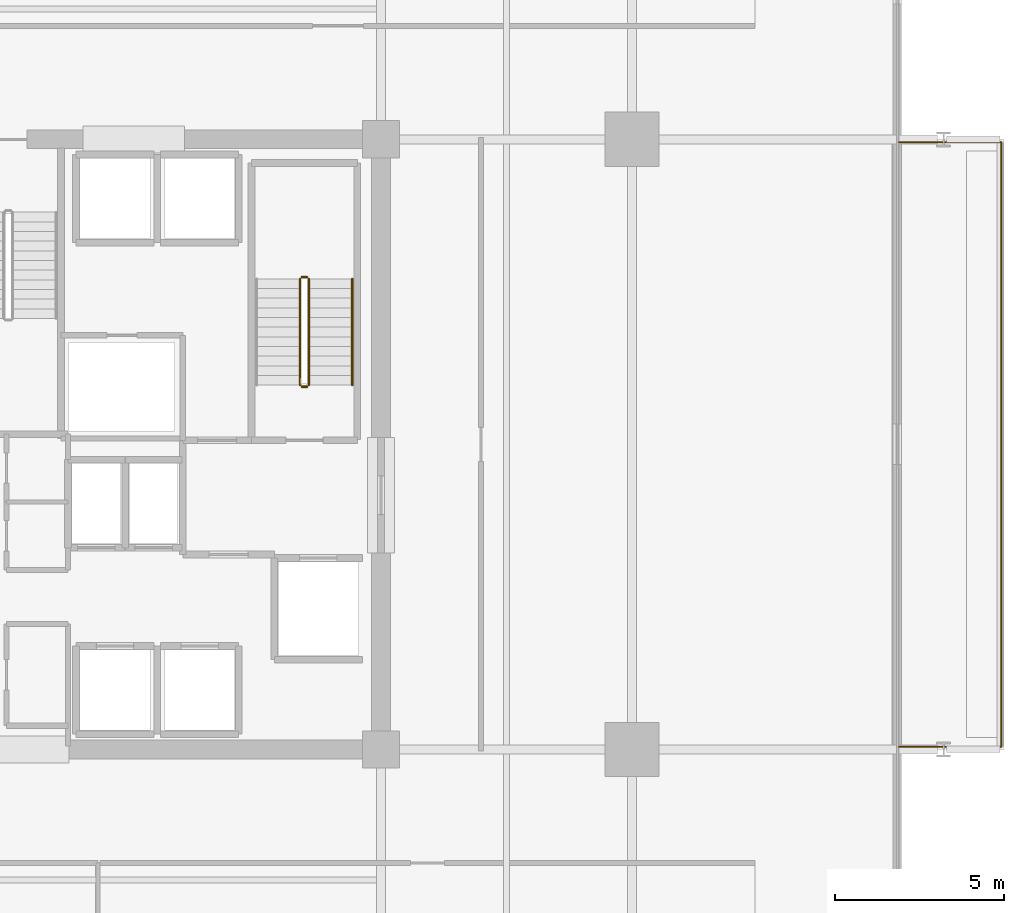
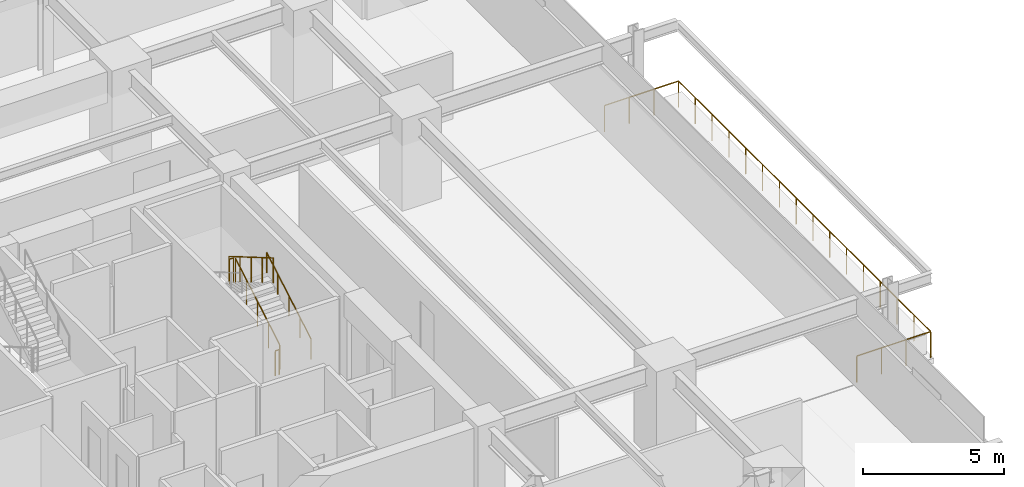
# One storey, part 19 of 20: 6 railings.
"""IFC4 building model written with IfcOpenShell, lengths in metres."""

from ifc_helpers import new_model, si_unit, direction, frame, origin, origin_2d, place, context, subcontext, project, spatial, circle, extrude, material, type_object, element, save


model = new_model("IFC4")

# Units and contexts
model_context = context("Model", 3, precision=1e-05, world=origin(), true_north=direction((0.0, 1.0)))
body_context = subcontext(model_context, "Body", "Model", "MODEL_VIEW")
ifc_project = project(units=[si_unit("LENGTHUNIT", "METRE"), si_unit("AREAUNIT", "SQUARE_METRE"), si_unit("VOLUMEUNIT", "CUBIC_METRE"), si_unit("PLANEANGLEUNIT", "RADIAN"), si_unit("MASSUNIT", "GRAM", prefix="KILO")], contexts=[model_context])

# Site, building, storey
site_placement = place(None, origin())
site = spatial("IfcSite", under=ifc_project, at=site_placement, CompositionType="ELEMENT")
building_placement = place(site_placement, origin())
building = spatial("IfcBuilding", under=site, at=building_placement, Name="Kovane Verandah Tower", CompositionType="ELEMENT")
storey_placement = place(building_placement, frame((0.0, 0.0, 128.39990234375)))
storey = spatial("IfcBuildingStorey", under=building, at=storey_placement, Name="L29", CompositionType="ELEMENT", Elevation=128.39990234375)

# Railings
ifc_material_1 = material(Name="Laminated Glass and Pale-Champagne Stainless Balustrade", Category="glass")
railing_type_1 = type_object("IfcRailingType", Name="RL-BAL-1150", PredefinedType="BALUSTRADE", material=ifc_material_1)
railing_1_placement = place(storey_placement, frame((66.27880859375, 18.580078125, 0.0)))
element("IfcRailing", 1, at=railing_1_placement, inside=storey, type_object=railing_type_1, Name="L29 E Verandah Glass Balustrade", PredefinedType="BALUSTRADE", context=body_context, shape_type="SweptSolid", body=[
    extrude(circle(Radius=0.02392578125, at=origin_2d()), frame((0.0, 0.0, 1.1259765625), z_axis=(1.0, 0.0, 0.0), x_axis=(0.0, 1.0, 0.0)), (0.0, 0.0, 1.0), 3.019775390625),
    extrude(circle(Radius=0.02392578125, at=origin_2d()), frame((3.019775390625, 0.0, 1.1259765625), z_axis=(0.0, 1.0, 0.0), x_axis=(-1.0, 0.0, 0.0)), (0.0, 0.0, 1.0), 17.83984375),
    extrude(circle(Radius=0.02392578125, at=origin_2d()), frame((3.019775390625, 17.83984375, 1.1259765625), z_axis=(-1.0, 0.0, 0.0), x_axis=(0.0, -1.0, 0.0)), (0.0, 0.0, 1.0), 3.019775390625),
    extrude(circle(Radius=0.02099609375, at=origin_2d()), origin(), (0.0, 0.0, 1.0), 1.101806640625),
    extrude(circle(Radius=0.02099609375, at=origin_2d()), frame((1.006591796875, 0.0, 0.0)), (0.0, 0.0, 1.0), 1.101806640625),
    extrude(circle(Radius=0.02099609375, at=origin_2d()), frame((2.01318359375, 0.0, 0.0)), (0.0, 0.0, 1.0), 1.101806640625),
    extrude(circle(Radius=0.02099609375, at=origin_2d()), frame((3.019775390625, 0.0, 0.0)), (0.0, 0.0, 1.0), 1.101806640625),
    extrude(circle(Radius=0.02099609375, at=origin_2d()), frame((3.019775390625, 1.189208984375, 0.0)), (0.0, 0.0, 1.0), 1.101806640625),
    extrude(circle(Radius=0.02099609375, at=origin_2d()), frame((3.019775390625, 2.378662109375, 0.0)), (0.0, 0.0, 1.0), 1.101806640625),
    extrude(circle(Radius=0.02099609375, at=origin_2d()), frame((3.019775390625, 3.56787109375, 0.0)), (0.0, 0.0, 1.0), 1.101806640625),
    extrude(circle(Radius=0.02099609375, at=origin_2d()), frame((3.019775390625, 4.75732421875, 0.0)), (0.0, 0.0, 1.0), 1.101806640625),
    extrude(circle(Radius=0.02099609375, at=origin_2d()), frame((3.019775390625, 5.946533203125, 0.0)), (0.0, 0.0, 1.0), 1.101806640625),
    extrude(circle(Radius=0.02099609375, at=origin_2d()), frame((3.019775390625, 7.135986328125, 0.0)), (0.0, 0.0, 1.0), 1.101806640625),
    extrude(circle(Radius=0.02099609375, at=origin_2d()), frame((3.019775390625, 8.3251953125, 0.0)), (0.0, 0.0, 1.0), 1.101806640625),
    extrude(circle(Radius=0.02099609375, at=origin_2d()), frame((3.019775390625, 9.5146484375, 0.0)), (0.0, 0.0, 1.0), 1.101806640625),
    extrude(circle(Radius=0.02099609375, at=origin_2d()), frame((3.019775390625, 10.703857421875, 0.0)), (0.0, 0.0, 1.0), 1.101806640625),
    extrude(circle(Radius=0.02099609375, at=origin_2d()), frame((3.019775390625, 11.893310546875, 0.0)), (0.0, 0.0, 1.0), 1.101806640625),
    extrude(circle(Radius=0.02099609375, at=origin_2d()), frame((3.019775390625, 13.08251953125, 0.0)), (0.0, 0.0, 1.0), 1.101806640625),
    extrude(circle(Radius=0.02099609375, at=origin_2d()), frame((3.019775390625, 14.27197265625, 0.0)), (0.0, 0.0, 1.0), 1.101806640625),
    extrude(circle(Radius=0.02099609375, at=origin_2d()), frame((3.019775390625, 15.461181640625, 0.0)), (0.0, 0.0, 1.0), 1.101806640625),
    extrude(circle(Radius=0.02099609375, at=origin_2d()), frame((3.019775390625, 16.650634765625, 0.0)), (0.0, 0.0, 1.0), 1.101806640625),
    extrude(circle(Radius=0.02099609375, at=origin_2d()), frame((3.019775390625, 17.83984375, 0.0)), (0.0, 0.0, 1.0), 1.101806640625),
    extrude(circle(Radius=0.02099609375, at=origin_2d()), frame((2.01318359375, 17.83984375, 0.0)), (0.0, 0.0, 1.0), 1.101806640625),
    extrude(circle(Radius=0.02099609375, at=origin_2d()), frame((1.006591796875, 17.83984375, 0.0)), (0.0, 0.0, 1.0), 1.101806640625),
    extrude(circle(Radius=0.02099609375, at=origin_2d()), frame((0.0, 17.83984375, 0.0)), (0.0, 0.0, 1.0), 1.101806640625),
])
ifc_material_2 = material(Name="Brushed Stainless Steel Handrail", Category="steel")
railing_type_2 = type_object("IfcRailingType", Name="RL-HAND-920", PredefinedType="HANDRAIL", material=ifc_material_2)
railing_2_placement = place(storey_placement, frame((50.14990234375, 29.25, 0.166748046875)))
element("IfcRailing", 2, at=railing_2_placement, inside=storey, type_object=railing_type_2, Name="L29 ST-02 stair handrail 1", PredefinedType="HANDRAIL", context=body_context, shape_type="SweptSolid", body=[
    extrude(circle(Radius=0.02392578125, at=origin_2d()), frame((0.0, 0.0, 0.8759765625), z_axis=(0.0, 0.863239559939, 0.504794475164), x_axis=(-1.0, 0.0, 0.0)), (0.0, 0.0, 1.0), 3.631591796875),
    extrude(circle(Radius=0.02099609375, at=origin_2d()), origin(), (0.0, 0.0, 1.0), 0.851806640625),
    extrude(circle(Radius=0.02099609375, at=origin_2d()), frame((0.0, 0.78369140625, 0.458251953125)), (0.0, 0.0, 1.0), 0.851806640625),
    extrude(circle(Radius=0.02099609375, at=origin_2d()), frame((0.0, 1.5673828125, 0.91650390625)), (0.0, 0.0, 1.0), 0.851806640625),
    extrude(circle(Radius=0.02099609375, at=origin_2d()), frame((0.0, 2.351318359375, 1.375)), (0.0, 0.0, 1.0), 0.851806640625),
    extrude(circle(Radius=0.02099609375, at=origin_2d()), frame((0.0, 3.135009765625, 1.833251953125)), (0.0, 0.0, 1.0), 0.851806640625),
])
ifc_material_3 = material(Name="Painted Steel Stairwell Guardrail", Category="steel")
railing_type_3 = type_object("IfcRailingType", Name="RL-STGUARD-1120", PredefinedType="GUARDRAIL", material=ifc_material_3)
railing_3_placement = place(storey_placement, frame((48.8701171875, 29.25, 0.166748046875)))
element("IfcRailing", 3, at=railing_3_placement, inside=storey, type_object=railing_type_3, Name="L29 ST-02 stair guard 1", PredefinedType="GUARDRAIL", context=body_context, shape_type="SweptSolid", body=[
    extrude(circle(Radius=0.02392578125, at=origin_2d()), frame((0.0, 0.0, 1.076171875), z_axis=(0.0, 0.863239559939, 0.504794475164), x_axis=(-1.0, 0.0, 0.0)), (0.0, 0.0, 1.0), 3.631591796875),
    extrude(circle(Radius=0.02099609375, at=origin_2d()), origin(), (0.0, 0.0, 1.0), 1.052001953125),
    extrude(circle(Radius=0.02099609375, at=origin_2d()), frame((0.0, 0.78369140625, 0.458251953125)), (0.0, 0.0, 1.0), 1.052001953125),
    extrude(circle(Radius=0.02099609375, at=origin_2d()), frame((0.0, 1.5673828125, 0.91650390625)), (0.0, 0.0, 1.0), 1.052001953125),
    extrude(circle(Radius=0.02099609375, at=origin_2d()), frame((0.0, 2.351318359375, 1.375)), (0.0, 0.0, 1.0), 1.052001953125),
    extrude(circle(Radius=0.02099609375, at=origin_2d()), frame((0.0, 3.135009765625, 1.833251953125)), (0.0, 0.0, 1.0), 1.052001953125),
])
railing_4_placement = place(storey_placement, frame((48.820068359375, 32.43505859375, 2.0)))
element("IfcRailing", 4, at=railing_4_placement, inside=storey, type_object=railing_type_3, Name="L29 ST-02 stair guard 2", PredefinedType="GUARDRAIL", context=body_context, shape_type="SweptSolid", body=[
    extrude(circle(Radius=0.02392578125, at=origin_2d()), frame((0.0, 0.0, 1.076171875), z_axis=(-1.0, 0.0, 0.0), x_axis=(0.0, -1.0, 0.0)), (0.0, 0.0, 1.0), 0.16015625),
    extrude(circle(Radius=0.02099609375, at=origin_2d()), origin(), (0.0, 0.0, 1.0), 1.052001953125),
    extrude(circle(Radius=0.02099609375, at=origin_2d()), frame((-0.16015625, 0.0, 0.0)), (0.0, 0.0, 1.0), 1.052001953125),
])
railing_5_placement = place(storey_placement, frame((48.610107421875, 32.385009765625, 2.166748046875)))
element("IfcRailing", 5, at=railing_5_placement, inside=storey, type_object=railing_type_3, Name="L29 ST-02 stair guard 3", PredefinedType="GUARDRAIL", context=body_context, shape_type="SweptSolid", body=[
    extrude(circle(Radius=0.02392578125, at=origin_2d()), frame((0.0, 0.0, 1.076171875), z_axis=(0.0, -0.863239559939, 0.504794475164), x_axis=(1.0, 0.0, 0.0)), (0.0, 0.0, 1.0), 3.631591796875),
    extrude(circle(Radius=0.02099609375, at=origin_2d()), origin(), (0.0, 0.0, 1.0), 1.052001953125),
    extrude(circle(Radius=0.02099609375, at=origin_2d()), frame((0.0, -0.78369140625, 0.458251953125)), (0.0, 0.0, 1.0), 1.052001953125),
    extrude(circle(Radius=0.02099609375, at=origin_2d()), frame((0.0, -1.5673828125, 0.91650390625)), (0.0, 0.0, 1.0), 1.052001953125),
    extrude(circle(Radius=0.02099609375, at=origin_2d()), frame((0.0, -2.351318359375, 1.375)), (0.0, 0.0, 1.0), 1.052001953125),
    extrude(circle(Radius=0.02099609375, at=origin_2d()), frame((0.0, -3.135009765625, 1.833251953125)), (0.0, 0.0, 1.0), 1.052001953125),
])
railing_6_placement = place(storey_placement, frame((48.820068359375, 29.199951171875, 0.0)))
element("IfcRailing", 6, at=railing_6_placement, inside=storey, type_object=railing_type_3, Name="L29 ST-02 stair guard 4", PredefinedType="GUARDRAIL", context=body_context, shape_type="SweptSolid", body=[
    extrude(circle(Radius=0.02392578125, at=origin_2d()), frame((0.0, 0.0, 1.076171875), z_axis=(-1.0, 0.0, 0.0), x_axis=(0.0, -1.0, 0.0)), (0.0, 0.0, 1.0), 0.16015625),
    extrude(circle(Radius=0.02099609375, at=origin_2d()), origin(), (0.0, 0.0, 1.0), 1.052001953125),
    extrude(circle(Radius=0.02099609375, at=origin_2d()), frame((-0.16015625, 0.0, 0.0)), (0.0, 0.0, 1.0), 1.052001953125),
])

save(model, "model.ifc")
